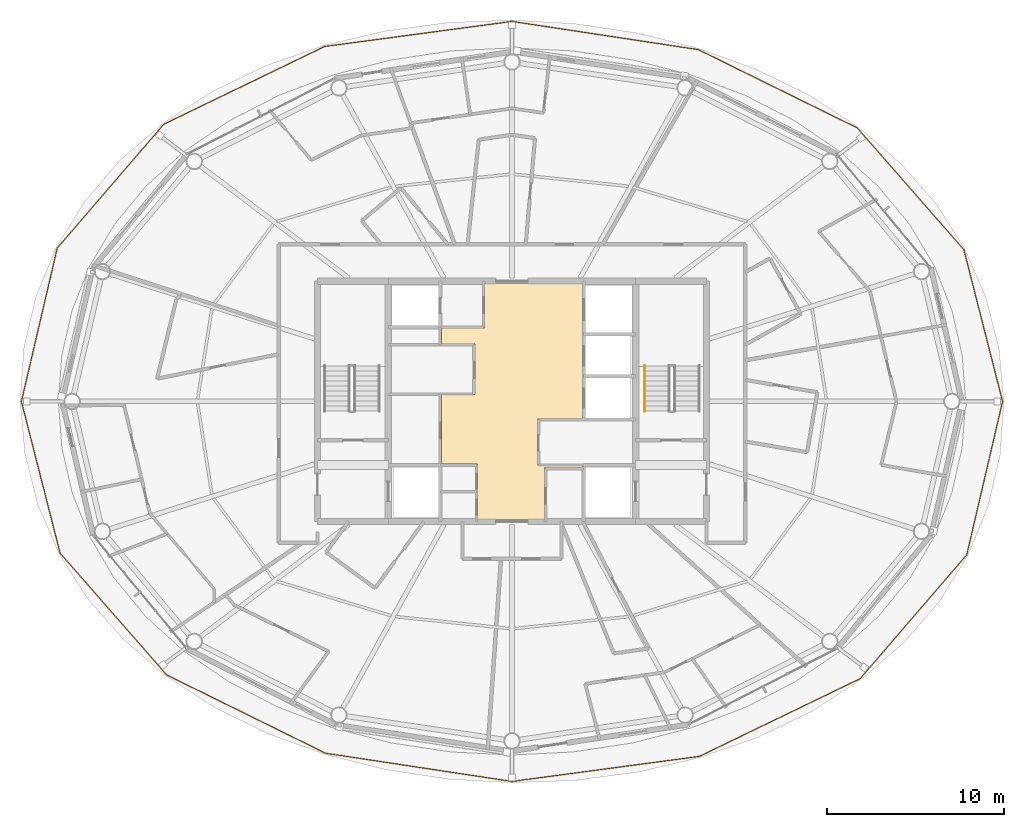
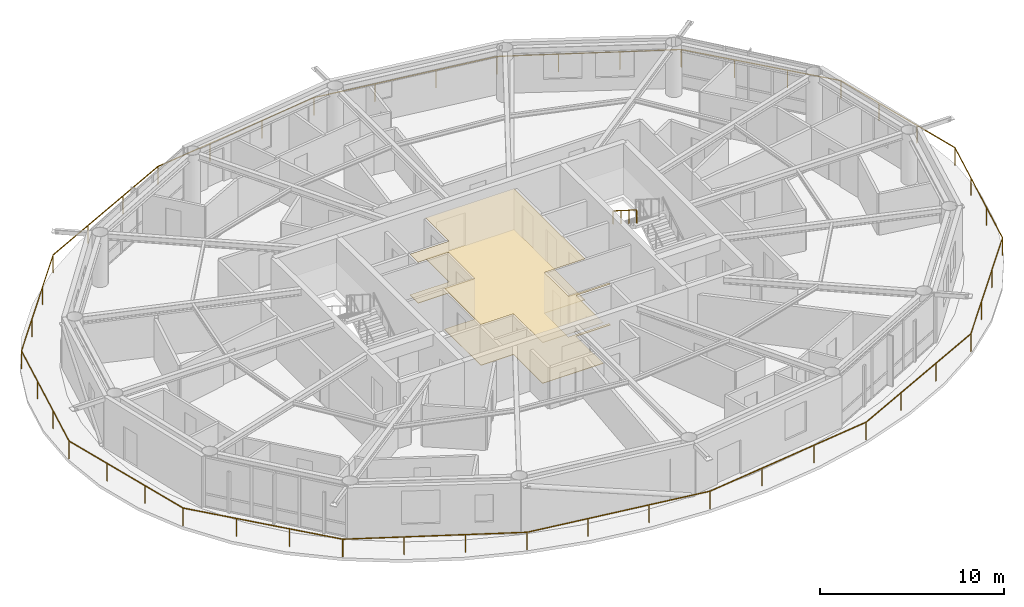
# One storey, part 21 of 22: 2 coverings, 2 railings.
"""IFC4 building model written with IfcOpenShell, lengths in metres."""

from ifc_helpers import new_model, si_unit, direction, frame, origin, origin_2d, place, context, subcontext, project, spatial, polyline, rectangle, outline, extrude, material, layer, layer_set, type_object, element, save


model = new_model("IFC4")

# Units and contexts
model_context = context("Model", 3, precision=1e-05, world=origin(), true_north=direction((0.0, 1.0)))
body_context = subcontext(model_context, "Body", "Model", "MODEL_VIEW")
ifc_project = project(units=[si_unit("LENGTHUNIT", "METRE"), si_unit("AREAUNIT", "SQUARE_METRE"), si_unit("VOLUMEUNIT", "CUBIC_METRE"), si_unit("PLANEANGLEUNIT", "RADIAN"), si_unit("MASSUNIT", "GRAM", prefix="KILO")], contexts=[model_context])

# Site, building, storey
site_placement = place(None, origin())
site = spatial("IfcSite", under=ifc_project, at=site_placement, CompositionType="ELEMENT")
building_placement = place(site_placement, origin())
building = spatial("IfcBuilding", under=site, at=building_placement, Name="Sarneth Arch Tower", CompositionType="ELEMENT")
storey_placement = place(building_placement, frame((0.0, 0.0, 298.199951171875)))
storey = spatial("IfcBuildingStorey", under=building, at=storey_placement, Name="L77", CompositionType="ELEMENT", Elevation=298.199951171875)

# Coverings
ifc_material_1 = material(Name="Perforated acoustic gypsum ceiling board")
ifc_layer_1 = layer(ifc_material_1, 0.02490234375)
ifc_layer_set_1 = layer_set([ifc_layer_1], Name="Perforated acoustic gypsum ceiling board")
covering_type_1 = type_object("IfcCoveringType", Name="COV-CEIL-GYP", PredefinedType="CEILING", material=ifc_layer_set_1)
covering_1_placement = place(storey_placement, frame((0.0, 0.0, 2.699951171875)))
element("IfcCovering", 1, at=covering_1_placement, inside=storey, type_object=covering_type_1, Name="L77 Lift lobby acoustic ceiling", PredefinedType="CEILING", context=body_context, shape_type="SweptSolid", body=[
    extrude(outline(polyline([(49.449951171875, 41.0), (49.449951171875, 38.39990234375), (52.0, 38.39990234375), (52.0, 38.25), (49.85009765625, 38.25), (49.85009765625, 35.300048828125), (46.050048828125, 35.300048828125), (46.050048828125, 38.449951171875), (44.0, 38.449951171875), (44.0, 42.39990234375), (45.89990234375, 42.39990234375), (45.89990234375, 45.25), (44.0, 45.25), (44.0, 46.14990234375), (46.449951171875, 46.14990234375), (46.449951171875, 48.699951171875), (52.0, 48.699951171875), (52.0, 41.0), (49.449951171875, 41.0)])), origin(), (0.0, 0.0, 1.0), 0.030029296875),
])
ifc_material_2 = material(Name="Honed granite stone flooring", Category="masonry")
ifc_layer_2 = layer(ifc_material_2, 0.030029296875)
ifc_layer_set_2 = layer_set([ifc_layer_2], Name="Honed granite stone flooring")
covering_type_2 = type_object("IfcCoveringType", Name="COV-FLR-STONE", PredefinedType="FLOORING", material=ifc_layer_set_2)
covering_2_placement = place(storey_placement, origin())
element("IfcCovering", 2, at=covering_2_placement, inside=storey, type_object=covering_type_2, Name="L77 Lift lobby granite flooring", PredefinedType="FLOORING", context=body_context, shape_type="SweptSolid", body=[
    extrude(outline(polyline([(49.449951171875, 41.0), (49.449951171875, 38.39990234375), (52.0, 38.39990234375), (52.0, 38.25), (49.85009765625, 38.25), (49.85009765625, 35.300048828125), (46.050048828125, 35.300048828125), (46.050048828125, 38.449951171875), (44.0, 38.449951171875), (44.0, 42.39990234375), (45.89990234375, 42.39990234375), (45.89990234375, 45.25), (44.0, 45.25), (44.0, 46.14990234375), (46.449951171875, 46.14990234375), (46.449951171875, 48.699951171875), (52.0, 48.699951171875), (52.0, 41.0), (49.449951171875, 41.0)])), origin(), (0.0, 0.0, 1.0), 0.030029296875),
])

# Railings
ifc_material_3 = material(Name="Laminated structural glass infill with Stainless Steel 316 top rail and posts", Category="steel")
railing_type_1 = type_object("IfcRailingType", Name="RAIL-BALC-1200", PredefinedType="BALUSTRADE", material=ifc_material_3)
railing_1_placement = place(storey_placement, frame((75.752685546875, 42.0, 0.0)))
element("IfcRailing", 3, at=railing_1_placement, inside=storey, type_object=railing_type_1, Name="L77 Helical balcony glass balustrade", PredefinedType="BALUSTRADE", context=body_context, shape_type="SweptSolid", body=[
    extrude(rectangle(XDim=0.048095703125, YDim=0.048095703125, at=origin_2d()), frame((0.0, 0.0, 1.17578125), z_axis=(-0.247246196518, 0.96895269147, 0.0), x_axis=(-0.96895269147, -0.247246196518, 0.0)), (0.0, 0.0, 1.0), 8.8603515625),
    extrude(rectangle(XDim=0.048095703125, YDim=0.048095703125, at=origin_2d()), frame((-2.190673828125, 8.585205078125, 1.17578125), z_axis=(-0.658527275998, 0.752556859491, 0.0), x_axis=(-0.752556859491, -0.658527275998, 0.0)), (0.0, 0.0, 1.0), 9.14990234375),
    extrude(rectangle(XDim=0.048095703125, YDim=0.048095703125, at=origin_2d()), frame((-8.216064453125, 15.470947265625, 1.17578125), z_axis=(-0.897075490453, 0.441877318301, 0.0), x_axis=(-0.441877318301, -0.897075490453, 0.0)), (0.0, 0.0, 1.0), 10.025146484375),
    extrude(rectangle(XDim=0.048095703125, YDim=0.048095703125, at=origin_2d()), frame((-17.20947265625, 19.90087890625, 1.17578125), z_axis=(-0.988719511519, 0.149778928896, 0.0), x_axis=(-0.149778928896, -0.988719511519, 0.0)), (0.0, 0.0, 1.0), 10.66357421875),
    extrude(rectangle(XDim=0.048095703125, YDim=0.048095703125, at=origin_2d()), frame((-27.752685546875, 21.498046875, 1.17578125), z_axis=(-0.991157574978, -0.132690095955, 0.0), x_axis=(0.132690095955, -0.991157574978, 0.0)), (0.0, 0.0, 1.0), 10.693603515625),
    extrude(rectangle(XDim=0.048095703125, YDim=0.048095703125, at=origin_2d()), frame((-38.351806640625, 20.0791015625, 1.17578125), z_axis=(-0.900334908719, -0.43519771615, 0.0), x_axis=(0.43519771615, -0.900334908719, 0.0)), (0.0, 0.0, 1.0), 10.103271484375),
    extrude(rectangle(XDim=0.048095703125, YDim=0.048095703125, at=origin_2d()), frame((-47.4482421875, 15.68212890625, 1.17578125), z_axis=(-0.652319204674, -0.757944361555, 0.0), x_axis=(0.757944361555, -0.652319204674, 0.0)), (0.0, 0.0, 1.0), 9.2431640625),
    extrude(rectangle(XDim=0.048095703125, YDim=0.048095703125, at=origin_2d()), frame((-53.477783203125, 8.67626953125, 1.17578125), z_axis=(-0.227562221153, -0.973763541885, 0.0), x_axis=(0.973763541885, -0.227562221153, 0.0)), (0.0, 0.0, 1.0), 8.91015625),
    extrude(rectangle(XDim=0.048095703125, YDim=0.048095703125, at=origin_2d()), frame((-55.50537109375, 0.0, 1.17578125), z_axis=(0.247246196518, -0.96895269147, 0.0), x_axis=(0.96895269147, 0.247246196518, 0.0)), (0.0, 0.0, 1.0), 8.8603515625),
    extrude(rectangle(XDim=0.048095703125, YDim=0.048095703125, at=origin_2d()), frame((-53.314697265625, -8.585205078125, 1.17578125), z_axis=(0.658527275998, -0.752556859491, 0.0), x_axis=(0.752556859491, 0.658527275998, 0.0)), (0.0, 0.0, 1.0), 9.14990234375),
    extrude(rectangle(XDim=0.048095703125, YDim=0.048095703125, at=origin_2d()), frame((-47.289306640625, -15.470947265625, 1.17578125), z_axis=(0.897075490453, -0.441877318301, 0.0), x_axis=(0.441877318301, 0.897075490453, 0.0)), (0.0, 0.0, 1.0), 10.025146484375),
    extrude(rectangle(XDim=0.048095703125, YDim=0.048095703125, at=origin_2d()), frame((-38.2958984375, -19.90087890625, 1.17578125), z_axis=(0.988719511519, -0.149778928896, 0.0), x_axis=(0.149778928896, 0.988719511519, 0.0)), (0.0, 0.0, 1.0), 10.66357421875),
    extrude(rectangle(XDim=0.048095703125, YDim=0.048095703125, at=origin_2d()), frame((-27.752685546875, -21.498046875, 1.17578125), z_axis=(0.991157574978, 0.132690095955, 0.0), x_axis=(-0.132690095955, 0.991157574978, 0.0)), (0.0, 0.0, 1.0), 10.693603515625),
    extrude(rectangle(XDim=0.048095703125, YDim=0.048095703125, at=origin_2d()), frame((-17.153564453125, -20.0791015625, 1.17578125), z_axis=(0.900334908719, 0.43519771615, 0.0), x_axis=(-0.43519771615, 0.900334908719, 0.0)), (0.0, 0.0, 1.0), 10.103271484375),
    extrude(rectangle(XDim=0.048095703125, YDim=0.048095703125, at=origin_2d()), frame((-8.05712890625, -15.68212890625, 1.17578125), z_axis=(0.652319204674, 0.757944361555, 0.0), x_axis=(-0.757944361555, 0.652319204674, 0.0)), (0.0, 0.0, 1.0), 9.2431640625),
    extrude(rectangle(XDim=0.048095703125, YDim=0.048095703125, at=origin_2d()), frame((-2.027587890625, -8.67626953125, 1.17578125), z_axis=(0.227562221153, 0.973763541885, 0.0), x_axis=(-0.973763541885, 0.227562221153, 0.0)), (0.0, 0.0, 1.0), 8.91015625),
    extrude(rectangle(XDim=0.0419921875, YDim=0.0419921875, at=origin_2d()), origin(), (0.0, 0.0, 1.0), 1.15185546875),
    extrude(rectangle(XDim=0.0419921875, YDim=0.0419921875, at=origin_2d()), frame((-0.730224609375, 2.86181640625, 0.0)), (0.0, 0.0, 1.0), 1.15185546875),
    extrude(rectangle(XDim=0.0419921875, YDim=0.0419921875, at=origin_2d()), frame((-1.46044921875, 5.723388671875, 0.0)), (0.0, 0.0, 1.0), 1.15185546875),
    extrude(rectangle(XDim=0.0419921875, YDim=0.0419921875, at=origin_2d()), frame((-2.190673828125, 8.585205078125, 0.0)), (0.0, 0.0, 1.0), 1.15185546875),
    extrude(rectangle(XDim=0.0419921875, YDim=0.0419921875, at=origin_2d()), frame((-4.19921875, 10.88037109375, 0.0)), (0.0, 0.0, 1.0), 1.15185546875),
    extrude(rectangle(XDim=0.0419921875, YDim=0.0419921875, at=origin_2d()), frame((-6.20751953125, 13.17578125, 0.0)), (0.0, 0.0, 1.0), 1.15185546875),
    extrude(rectangle(XDim=0.0419921875, YDim=0.0419921875, at=origin_2d()), frame((-8.216064453125, 15.470947265625, 0.0)), (0.0, 0.0, 1.0), 1.15185546875),
    extrude(rectangle(XDim=0.0419921875, YDim=0.0419921875, at=origin_2d()), frame((-11.2138671875, 16.947509765625, 0.0)), (0.0, 0.0, 1.0), 1.15185546875),
    extrude(rectangle(XDim=0.0419921875, YDim=0.0419921875, at=origin_2d()), frame((-14.211669921875, 18.42431640625, 0.0)), (0.0, 0.0, 1.0), 1.15185546875),
    extrude(rectangle(XDim=0.0419921875, YDim=0.0419921875, at=origin_2d()), frame((-17.20947265625, 19.90087890625, 0.0)), (0.0, 0.0, 1.0), 1.15185546875),
    extrude(rectangle(XDim=0.0419921875, YDim=0.0419921875, at=origin_2d()), frame((-20.723876953125, 20.433349609375, 0.0)), (0.0, 0.0, 1.0), 1.15185546875),
    extrude(rectangle(XDim=0.0419921875, YDim=0.0419921875, at=origin_2d()), frame((-24.23828125, 20.965576171875, 0.0)), (0.0, 0.0, 1.0), 1.15185546875),
    extrude(rectangle(XDim=0.0419921875, YDim=0.0419921875, at=origin_2d()), frame((-27.752685546875, 21.498046875, 0.0)), (0.0, 0.0, 1.0), 1.15185546875),
    extrude(rectangle(XDim=0.0419921875, YDim=0.0419921875, at=origin_2d()), frame((-31.28564453125, 21.025146484375, 0.0)), (0.0, 0.0, 1.0), 1.15185546875),
    extrude(rectangle(XDim=0.0419921875, YDim=0.0419921875, at=origin_2d()), frame((-34.81884765625, 20.552001953125, 0.0)), (0.0, 0.0, 1.0), 1.15185546875),
    extrude(rectangle(XDim=0.0419921875, YDim=0.0419921875, at=origin_2d()), frame((-38.351806640625, 20.0791015625, 0.0)), (0.0, 0.0, 1.0), 1.15185546875),
    extrude(rectangle(XDim=0.0419921875, YDim=0.0419921875, at=origin_2d()), frame((-41.384033203125, 18.613525390625, 0.0)), (0.0, 0.0, 1.0), 1.15185546875),
    extrude(rectangle(XDim=0.0419921875, YDim=0.0419921875, at=origin_2d()), frame((-44.416015625, 17.147705078125, 0.0)), (0.0, 0.0, 1.0), 1.15185546875),
    extrude(rectangle(XDim=0.0419921875, YDim=0.0419921875, at=origin_2d()), frame((-47.4482421875, 15.68212890625, 0.0)), (0.0, 0.0, 1.0), 1.15185546875),
    extrude(rectangle(XDim=0.0419921875, YDim=0.0419921875, at=origin_2d()), frame((-49.4580078125, 13.346923828125, 0.0)), (0.0, 0.0, 1.0), 1.15185546875),
    extrude(rectangle(XDim=0.0419921875, YDim=0.0419921875, at=origin_2d()), frame((-51.468017578125, 11.011474609375, 0.0)), (0.0, 0.0, 1.0), 1.15185546875),
    extrude(rectangle(XDim=0.0419921875, YDim=0.0419921875, at=origin_2d()), frame((-53.477783203125, 8.67626953125, 0.0)), (0.0, 0.0, 1.0), 1.15185546875),
    extrude(rectangle(XDim=0.0419921875, YDim=0.0419921875, at=origin_2d()), frame((-54.153564453125, 5.7841796875, 0.0)), (0.0, 0.0, 1.0), 1.15185546875),
    extrude(rectangle(XDim=0.0419921875, YDim=0.0419921875, at=origin_2d()), frame((-54.82958984375, 2.89208984375, 0.0)), (0.0, 0.0, 1.0), 1.15185546875),
    extrude(rectangle(XDim=0.0419921875, YDim=0.0419921875, at=origin_2d()), frame((-55.50537109375, 0.0, 0.0)), (0.0, 0.0, 1.0), 1.15185546875),
    extrude(rectangle(XDim=0.0419921875, YDim=0.0419921875, at=origin_2d()), frame((-54.775146484375, -2.86181640625, 0.0)), (0.0, 0.0, 1.0), 1.15185546875),
    extrude(rectangle(XDim=0.0419921875, YDim=0.0419921875, at=origin_2d()), frame((-54.044921875, -5.723388671875, 0.0)), (0.0, 0.0, 1.0), 1.15185546875),
    extrude(rectangle(XDim=0.0419921875, YDim=0.0419921875, at=origin_2d()), frame((-53.314697265625, -8.585205078125, 0.0)), (0.0, 0.0, 1.0), 1.15185546875),
    extrude(rectangle(XDim=0.0419921875, YDim=0.0419921875, at=origin_2d()), frame((-51.30615234375, -10.88037109375, 0.0)), (0.0, 0.0, 1.0), 1.15185546875),
    extrude(rectangle(XDim=0.0419921875, YDim=0.0419921875, at=origin_2d()), frame((-49.2978515625, -13.17578125, 0.0)), (0.0, 0.0, 1.0), 1.15185546875),
    extrude(rectangle(XDim=0.0419921875, YDim=0.0419921875, at=origin_2d()), frame((-47.289306640625, -15.470947265625, 0.0)), (0.0, 0.0, 1.0), 1.15185546875),
    extrude(rectangle(XDim=0.0419921875, YDim=0.0419921875, at=origin_2d()), frame((-44.29150390625, -16.947509765625, 0.0)), (0.0, 0.0, 1.0), 1.15185546875),
    extrude(rectangle(XDim=0.0419921875, YDim=0.0419921875, at=origin_2d()), frame((-41.293701171875, -18.42431640625, 0.0)), (0.0, 0.0, 1.0), 1.15185546875),
    extrude(rectangle(XDim=0.0419921875, YDim=0.0419921875, at=origin_2d()), frame((-38.2958984375, -19.90087890625, 0.0)), (0.0, 0.0, 1.0), 1.15185546875),
    extrude(rectangle(XDim=0.0419921875, YDim=0.0419921875, at=origin_2d()), frame((-34.781494140625, -20.433349609375, 0.0)), (0.0, 0.0, 1.0), 1.15185546875),
    extrude(rectangle(XDim=0.0419921875, YDim=0.0419921875, at=origin_2d()), frame((-31.26708984375, -20.965576171875, 0.0)), (0.0, 0.0, 1.0), 1.15185546875),
    extrude(rectangle(XDim=0.0419921875, YDim=0.0419921875, at=origin_2d()), frame((-27.752685546875, -21.498046875, 0.0)), (0.0, 0.0, 1.0), 1.15185546875),
    extrude(rectangle(XDim=0.0419921875, YDim=0.0419921875, at=origin_2d()), frame((-24.2197265625, -21.025146484375, 0.0)), (0.0, 0.0, 1.0), 1.15185546875),
    extrude(rectangle(XDim=0.0419921875, YDim=0.0419921875, at=origin_2d()), frame((-20.6865234375, -20.552001953125, 0.0)), (0.0, 0.0, 1.0), 1.15185546875),
    extrude(rectangle(XDim=0.0419921875, YDim=0.0419921875, at=origin_2d()), frame((-17.153564453125, -20.0791015625, 0.0)), (0.0, 0.0, 1.0), 1.15185546875),
    extrude(rectangle(XDim=0.0419921875, YDim=0.0419921875, at=origin_2d()), frame((-14.121337890625, -18.613525390625, 0.0)), (0.0, 0.0, 1.0), 1.15185546875),
    extrude(rectangle(XDim=0.0419921875, YDim=0.0419921875, at=origin_2d()), frame((-11.08935546875, -17.147705078125, 0.0)), (0.0, 0.0, 1.0), 1.15185546875),
    extrude(rectangle(XDim=0.0419921875, YDim=0.0419921875, at=origin_2d()), frame((-8.05712890625, -15.68212890625, 0.0)), (0.0, 0.0, 1.0), 1.15185546875),
    extrude(rectangle(XDim=0.0419921875, YDim=0.0419921875, at=origin_2d()), frame((-6.04736328125, -13.346923828125, 0.0)), (0.0, 0.0, 1.0), 1.15185546875),
    extrude(rectangle(XDim=0.0419921875, YDim=0.0419921875, at=origin_2d()), frame((-4.037353515625, -11.011474609375, 0.0)), (0.0, 0.0, 1.0), 1.15185546875),
    extrude(rectangle(XDim=0.0419921875, YDim=0.0419921875, at=origin_2d()), frame((-2.027587890625, -8.67626953125, 0.0)), (0.0, 0.0, 1.0), 1.15185546875),
    extrude(rectangle(XDim=0.0419921875, YDim=0.0419921875, at=origin_2d()), frame((-1.351806640625, -5.7841796875, 0.0)), (0.0, 0.0, 1.0), 1.15185546875),
    extrude(rectangle(XDim=0.0419921875, YDim=0.0419921875, at=origin_2d()), frame((-0.67578125, -2.89208984375, 0.0)), (0.0, 0.0, 1.0), 1.15185546875),
])
ifc_material_4 = material(Name="Brushed Stainless Steel 304 tubular handrail", Category="steel")
railing_type_2 = type_object("IfcRailingType", Name="RAIL-HANDRAIL-900", PredefinedType="HANDRAIL", material=ifc_material_4)
railing_2_placement = place(storey_placement, frame((55.5, 44.014892578125, 1.97998046875)))
element("IfcRailing", 4, at=railing_2_placement, inside=storey, type_object=railing_type_2, Name="L77 ST-2 stair handrail 2", PredefinedType="HANDRAIL", context=body_context, shape_type="SweptSolid", body=[
    extrude(rectangle(XDim=0.048095703125, YDim=0.048095703125, at=origin_2d()), frame((0.0, 0.0, 0.8759765625), z_axis=(0.0, -0.845465955043, 0.534029323973), x_axis=(1.0, 0.0, 0.0)), (0.0, 0.0, 1.0), 3.03369140625),
    extrude(rectangle(XDim=0.0419921875, YDim=0.0419921875, at=origin_2d()), origin(), (0.0, 0.0, 1.0), 0.851806640625),
    extrude(rectangle(XDim=0.0419921875, YDim=0.0419921875, at=origin_2d()), frame((0.0, -0.85498046875, 0.5400390625)), (0.0, 0.0, 1.0), 0.851806640625),
    extrude(rectangle(XDim=0.0419921875, YDim=0.0419921875, at=origin_2d()), frame((0.0, -1.7099609375, 1.080078125)), (0.0, 0.0, 1.0), 0.851806640625),
    extrude(rectangle(XDim=0.0419921875, YDim=0.0419921875, at=origin_2d()), frame((0.0, -2.56494140625, 1.6201171875)), (0.0, 0.0, 1.0), 0.851806640625),
])

save(model, "model.ifc")
